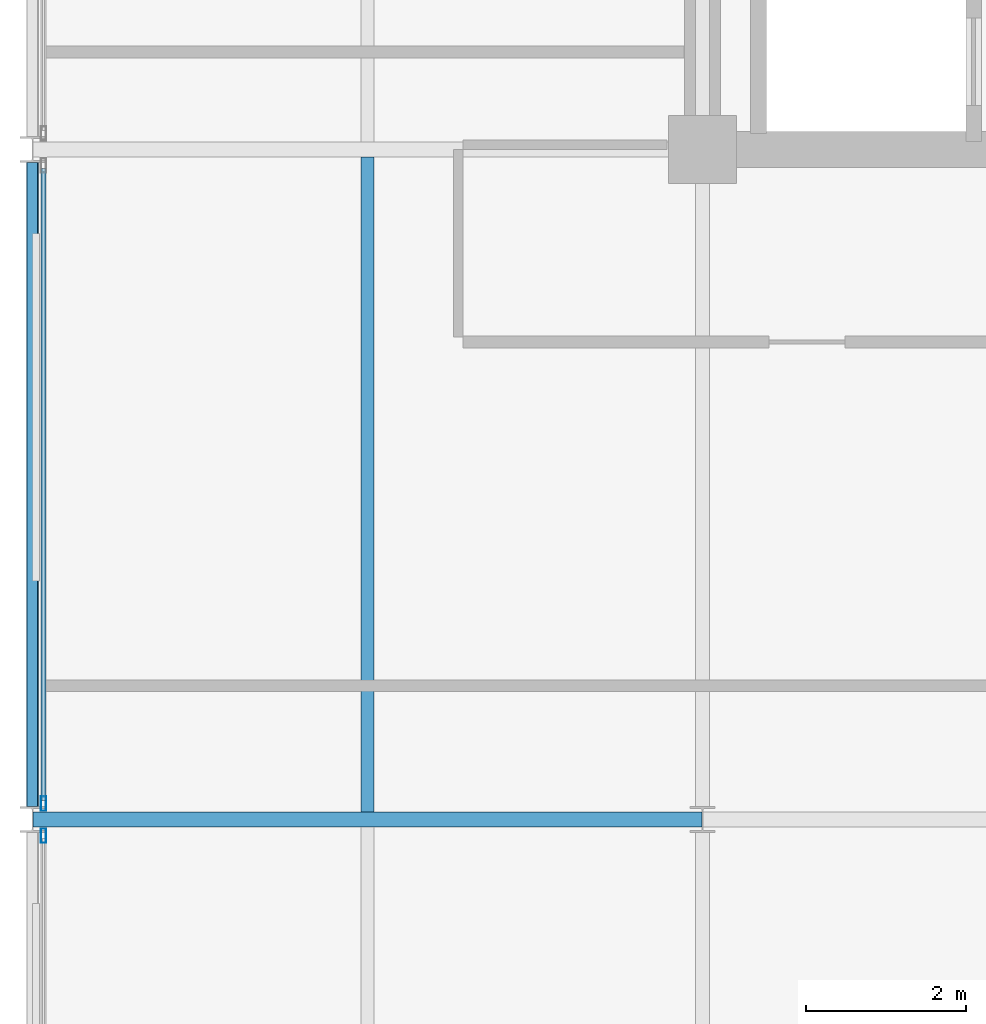
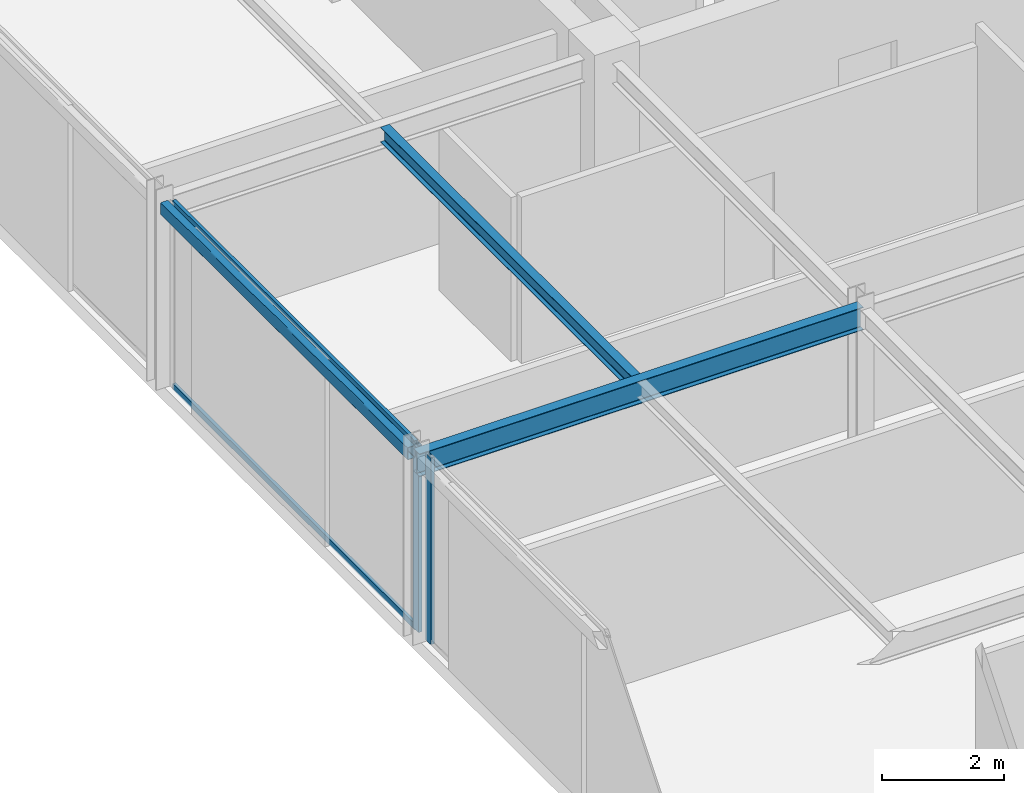
# One storey, part 9 of 24: 4 members, 3 beams, 2 elements without a shape of their own.
"""IFC4 building model written with IfcOpenShell, lengths in metres."""

from ifc_helpers import new_model, si_unit, direction, frame, origin, origin_2d, place, context, subcontext, project, spatial, hollow_rectangle, i_section, extrude, material, layer, layer_set, material_profile, profile_set, type_object, element, aggregate, save


model = new_model("IFC4")

# Units and contexts
model_context = context("Model", 3, precision=1e-05, world=origin(), true_north=direction((0.0, 1.0)))
body_context = subcontext(model_context, "Body", "Model", "MODEL_VIEW")
ifc_project = project(units=[si_unit("LENGTHUNIT", "METRE"), si_unit("AREAUNIT", "SQUARE_METRE"), si_unit("VOLUMEUNIT", "CUBIC_METRE"), si_unit("PLANEANGLEUNIT", "RADIAN"), si_unit("MASSUNIT", "GRAM", prefix="KILO")], contexts=[model_context])

# Site, building, storey
site_placement = place(None, origin())
site = spatial("IfcSite", under=ifc_project, at=site_placement, CompositionType="ELEMENT")
building_placement = place(site_placement, origin())
building = spatial("IfcBuilding", under=site, at=building_placement, Name="Nerrivon Quay Data Exchange", CompositionType="ELEMENT")
storey_placement = place(building_placement, frame((0.0, 0.0, 294.199951171875)))
storey = spatial("IfcBuildingStorey", under=building, at=storey_placement, Name="L70", CompositionType="ELEMENT", Elevation=294.199951171875)

# Beams
ifc_material_1 = material(Name="Steel Grade 350", Category="steel")
ifc_material_profile_1 = material_profile(ifc_material_1, i_section(OverallWidth=0.18994140625, OverallDepth=0.4541015625, WebThickness=0.008544921875, FlangeThickness=0.0126953125, FilletRadius=0.011474609375, at=origin_2d()), Name="460UB67.1")
ifc_profile_set_1 = profile_set([ifc_material_profile_1], Name="Steel Grade 350")
beam_type_1 = type_object("IfcBeamType", Name="BM-G6-460UB67", PredefinedType="BEAM", material=ifc_profile_set_1)
beam_1_placement = place(storey_placement, frame((0.0078125, 16.800048828125, 3.498046875), z_axis=(1.0, 0.0, 0.0), x_axis=(0.0, 1.0, 0.0)))
element("IfcBeam", 1, at=beam_1_placement, inside=storey, type_object=beam_type_1, Name="L70 EW Girder Y=16.8 (0.0..8.4)", PredefinedType="BEAM", context=body_context, shape_type="SweptSolid", body=[
    extrude(i_section(OverallWidth=0.18994140625, OverallDepth=0.4541015625, WebThickness=0.008544921875, FlangeThickness=0.0126953125, FilletRadius=0.011474609375, at=origin_2d()), origin(), (0.0, 0.0, 1.0), 8.38427734375),
])
ifc_material_profile_2 = material_profile(ifc_material_1, i_section(OverallWidth=0.1650390625, OverallDepth=0.303955078125, WebThickness=0.006103515625, FlangeThickness=0.01025390625, FilletRadius=0.011474609375, at=origin_2d()), Name="310UB40.4")
ifc_profile_set_2 = profile_set([ifc_material_profile_2], Name="Steel Grade 350")
beam_type_2 = type_object("IfcBeamType", Name="BM-J6-310UB40", PredefinedType="JOIST", material=ifc_profile_set_2)
beam_2_placement = place(storey_placement, frame((4.199951171875, 16.89501953125, 3.572998046875), z_axis=(0.0, 1.0, 0.0), x_axis=(-1.0, 0.0, 0.0)))
element("IfcBeam", 2, at=beam_2_placement, inside=storey, type_object=beam_type_2, Name="L70 Secondary Joist X=4.2 (16.8..25.2)", PredefinedType="JOIST", context=body_context, shape_type="SweptSolid", body=[
    extrude(i_section(OverallWidth=0.1650390625, OverallDepth=0.303955078125, WebThickness=0.006103515625, FlangeThickness=0.01025390625, FilletRadius=0.011474609375, at=origin_2d()), origin(), (0.0, 0.0, 1.0), 8.2099609375),
])
ifc_material_2 = material(Name="Steel Grade C350L0 (350 MPa)", Category="steel")
ifc_material_profile_3 = material_profile(ifc_material_2, hollow_rectangle(XDim=0.14990234375, YDim=0.25, WallThickness=0.009033203125, InnerFilletRadius=0.013427734375, OuterFilletRadius=0.0224609375, at=origin_2d()), Name="250x150x9.0RHS")
ifc_profile_set_3 = profile_set([ifc_material_profile_3], Name="Steel Grade C350L0 (350 MPa)")
beam_type_3 = type_object("IfcBeamType", Name="BM-SP4-250x150RHS", PredefinedType="SPANDREL", material=ifc_profile_set_3)
beam_3_placement = place(storey_placement, frame((0.0, 16.96337890625, 3.60009765625), z_axis=(0.0, 1.0, 0.0), x_axis=(-1.0, 0.0, 0.0)))
element("IfcBeam", 3, at=beam_3_placement, inside=storey, type_object=beam_type_3, Name="L70 NS Girder X=0.0 (16.8..25.2)", PredefinedType="SPANDREL", context=body_context, shape_type="SweptSolid", body=[
    extrude(hollow_rectangle(XDim=0.14990234375, YDim=0.25, WallThickness=0.009033203125, InnerFilletRadius=0.013427734375, OuterFilletRadius=0.0224609375, at=origin_2d()), origin(), (0.0, 0.0, 1.0), 8.0732421875),
])

# Curtain wall, member
ifc_material_3 = material(Name="Anodised aluminium 6063-T6", Category="aluminium")
ifc_layer = layer(ifc_material_3, 0.195068359375)
ifc_layer_set = layer_set([ifc_layer], Name="Anodised aluminium 6063-T6")
curtain_wall_type = type_object("IfcCurtainWallType", Name="CW-SYS-06", PredefinedType="NOTDEFINED", material=ifc_layer_set)
curtain_wall_1_placement = place(storey_placement, origin())
curtain_wall_1 = element("IfcCurtainWall", 4, at=curtain_wall_1_placement, inside=storey, type_object=curtain_wall_type, Name="L70 Unitised Curtain Wall 9", PredefinedType="NOTDEFINED")
ifc_material_profile_4 = material_profile(ifc_material_3, hollow_rectangle(XDim=0.06494140625, YDim=0.179931640625, WallThickness=0.00341796875, at=origin_2d()), Name="ALU-MULL-180x65")
ifc_profile_set_4 = profile_set([ifc_material_profile_4], Name="Anodised aluminium 6063-T6")
member_type_1 = type_object("IfcMemberType", Name="CWM-180x65", PredefinedType="MULLION", material=ifc_profile_set_4)
member_1_placement = place(storey_placement, frame((0.139892578125, 16.59912109375, 0.0), z_axis=(0.0, 0.0, 1.0), x_axis=(-1.0, 0.0, 0.0)))
member_1 = element("IfcMember", 5, at=member_1_placement, type_object=member_type_1, Name="CW06 mullion 2", PredefinedType="MULLION", context=body_context, shape_type="SweptSolid", body=[
    extrude(hollow_rectangle(XDim=0.06494140625, YDim=0.179931640625, WallThickness=0.00341796875, at=origin_2d()), origin(), (0.0, 0.0, 1.0), 3.72509765625),
])
aggregate(curtain_wall_1, [member_1])

# Curtain wall, members
curtain_wall_2_placement = place(storey_placement, origin())
curtain_wall_2 = element("IfcCurtainWall", 6, at=curtain_wall_2_placement, inside=storey, type_object=curtain_wall_type, Name="L70 Unitised Curtain Wall 10", PredefinedType="NOTDEFINED")
member_2_placement = place(storey_placement, frame((0.139892578125, 17.0009765625, 0.0), z_axis=(0.0, 0.0, 1.0), x_axis=(-1.0, 0.0, 0.0)))
member_2 = element("IfcMember", 7, at=member_2_placement, type_object=member_type_1, Name="CW06 mullion 1", PredefinedType="MULLION", context=body_context, shape_type="SweptSolid", body=[
    extrude(hollow_rectangle(XDim=0.06494140625, YDim=0.179931640625, WallThickness=0.00341796875, at=origin_2d()), origin(), (0.0, 0.0, 1.0), 3.72509765625),
])
ifc_material_profile_5 = material_profile(ifc_material_3, hollow_rectangle(XDim=0.06005859375, YDim=0.1201171875, WallThickness=0.003173828125, at=origin_2d()), Name="ALU-TRAN-120x60")
ifc_profile_set_5 = profile_set([ifc_material_profile_5], Name="Anodised aluminium 6063-T6")
member_type_2 = type_object("IfcMemberType", Name="CWT-120x60", PredefinedType="USERDEFINED", material=ifc_profile_set_5)
member_3_placement = place(storey_placement, frame((0.139892578125, 17.03857421875, 0.032470703125), z_axis=(0.0, 1.0, 0.0), x_axis=(-1.0, 0.0, 0.0)))
member_3 = element("IfcMember", 8, at=member_3_placement, type_object=member_type_2, Name="CW06 transom 1.1", ObjectType="TRANSOM", PredefinedType="USERDEFINED", context=body_context, shape_type="SweptSolid", body=[
    extrude(hollow_rectangle(XDim=0.06005859375, YDim=0.1201171875, WallThickness=0.003173828125, at=origin_2d()), origin(), (0.0, 0.0, 1.0), 7.9228515625),
])
member_4_placement = place(storey_placement, frame((0.139892578125, 17.03857421875, 3.692626953125), z_axis=(0.0, 1.0, 0.0), x_axis=(-1.0, 0.0, 0.0)))
member_4 = element("IfcMember", 9, at=member_4_placement, type_object=member_type_2, Name="CW06 transom 1.2", ObjectType="TRANSOM", PredefinedType="USERDEFINED", context=body_context, shape_type="SweptSolid", body=[
    extrude(hollow_rectangle(XDim=0.06005859375, YDim=0.1201171875, WallThickness=0.003173828125, at=origin_2d()), origin(), (0.0, 0.0, 1.0), 7.9228515625),
])
aggregate(curtain_wall_2, [member_2, member_3, member_4])

save(model, "model.ifc")
